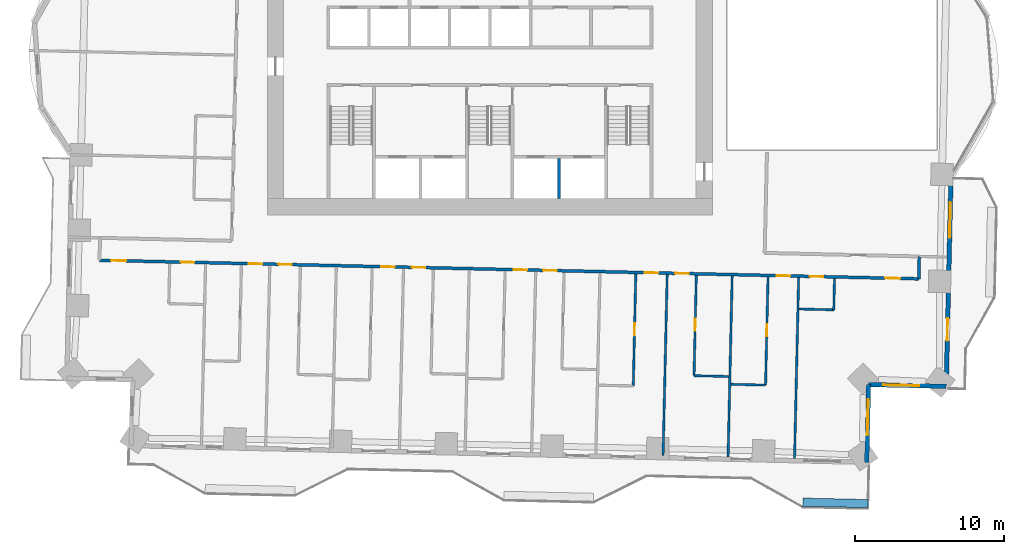
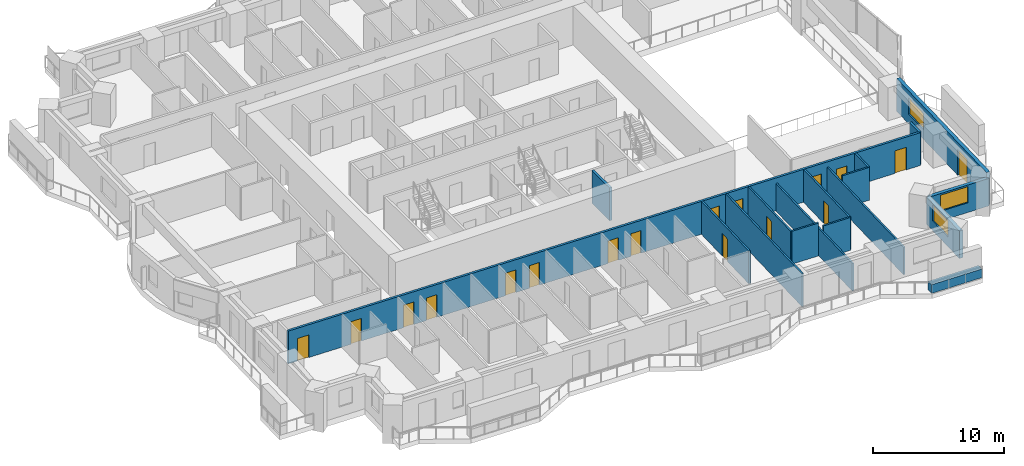
# One storey, part 9 of 19: 17 doors, 17 walls, 3 windows, 20 openings.
"""IFC4 building model written with IfcOpenShell, lengths in metres."""

from ifc_helpers import new_model, si_unit, direction, frame, frame_2d, origin, place, context, subcontext, project, spatial, rectangle, extrude, material, layer, layer_set, type_object, element, fill, save


model = new_model("IFC4")

# Units and contexts
model_context = context("Model", 3, precision=1e-05, world=origin(), true_north=direction((0.0, 1.0)))
body_context = subcontext(model_context, "Body", "Model", "MODEL_VIEW")
ifc_project = project(units=[si_unit("LENGTHUNIT", "METRE"), si_unit("AREAUNIT", "SQUARE_METRE"), si_unit("VOLUMEUNIT", "CUBIC_METRE"), si_unit("PLANEANGLEUNIT", "RADIAN"), si_unit("MASSUNIT", "GRAM", prefix="KILO")], contexts=[model_context])

# Site, building, storey
site_placement = place(None, origin())
site = spatial("IfcSite", under=ifc_project, at=site_placement, CompositionType="ELEMENT")
building_placement = place(site_placement, origin())
building = spatial("IfcBuilding", under=site, at=building_placement, Name="Mangrove Gate Tower", CompositionType="ELEMENT")
storey_placement = place(building_placement, frame((0.0, 0.0, 63.89990234375)))
storey = spatial("IfcBuildingStorey", under=building, at=storey_placement, Name="L15", CompositionType="ELEMENT", Elevation=63.89990234375)

# Wall
ifc_material_1 = material(Name="Concrete C70/85", Category="concrete")
ifc_layer_1 = layer(ifc_material_1, 0.199951171875)
ifc_layer_set_1 = layer_set([ifc_layer_1], Name="Core shaft wall 200 C70/85")
wall_type_1 = type_object("IfcWallType", Name="Core shaft wall 200 C70/85", PredefinedType="SHEAR", material=ifc_layer_set_1)
wall_1_placement = place(storey_placement, frame((4.625, -10.800048828125, 0.0), z_axis=(0.0, 0.0, 1.0), x_axis=(0.0, 1.0, 0.0)))
element("IfcWall", 1, at=wall_1_placement, inside=storey, type_object=wall_type_1, Name="WALL-L15-CORE-18", PredefinedType="SHEAR", context=body_context, shape_type="SweptSolid", body=[
    extrude(rectangle(XDim=2.699951171875, YDim=0.199951171875, at=frame_2d((1.35009765625, 0.0))), origin(), (0.0, 0.0, 1.0), 3.050048828125),
])

# Wall, openings, doors
ifc_material_2 = material(Name="Gypsum board on steel stud, EI 60", Category="steel")
ifc_layer_2 = layer(ifc_material_2, 0.199951171875)
ifc_layer_set_2 = layer_set([ifc_layer_2], Name="Corridor wall EI 60")
wall_type_2 = type_object("IfcWallType", Name="Corridor wall EI 60", PredefinedType="PARTITIONING", material=ifc_layer_set_2)
wall_2_placement = place(storey_placement, frame((-26.1259765625, -14.924072265625, 0.0), z_axis=(0.0, 0.0, 1.0), x_axis=(0.999742687583, -0.0226838847, 0.0)))
wall_2 = element("IfcWall", 2, at=wall_2_placement, inside=storey, type_object=wall_type_2, Name="WALL-L15-034", PredefinedType="PARTITIONING", context=body_context, shape_type="SweptSolid", body=[
    extrude(rectangle(XDim=54.836181640625, YDim=0.199951171875, at=frame_2d((27.41796875, 0.0))), origin(), (0.0, 0.0, 1.0), 3.050048828125),
])
opening_1_placement = place(wall_2_placement, frame((0.77490234375, 0.0, 0.0)))
opening_1 = element("IfcOpeningElement", 3, at=opening_1_placement, cuts=wall_2, Name="Opening AD", PredefinedType="OPENING", context=body_context, shape_type="SweptSolid", body=[
    extrude(rectangle(XDim=1.0, YDim=2.10009765625, at=frame_2d((0.5, 1.050048828125))), frame((0.0, 0.10986328125, 0.0), z_axis=(0.0, -1.0, 0.0), x_axis=(1.0, 0.0, 0.0)), (0.0, 0.0, 1.0), 0.219970703125),
])
opening_2_placement = place(wall_2_placement, frame((5.449951171875, 0.0, 0.0)))
opening_2 = element("IfcOpeningElement", 4, at=opening_2_placement, cuts=wall_2, Name="Opening SD", PredefinedType="OPENING", context=body_context, shape_type="SweptSolid", body=[
    extrude(rectangle(XDim=0.89990234375, YDim=2.10009765625, at=frame_2d((0.449951171875, 1.050048828125))), frame((0.0, 0.10986328125, 0.0), z_axis=(0.0, -1.0, 0.0), x_axis=(1.0, 0.0, 0.0)), (0.0, 0.0, 1.0), 0.219970703125),
])
opening_3_placement = place(wall_2_placement, frame((10.0, 0.0, 0.0)))
opening_3 = element("IfcOpeningElement", 5, at=opening_3_placement, cuts=wall_2, Name="Opening BD", PredefinedType="OPENING", context=body_context, shape_type="SweptSolid", body=[
    extrude(rectangle(XDim=0.89990234375, YDim=2.10009765625, at=frame_2d((0.449951171875, 1.050048828125))), frame((0.0, 0.10986328125, 0.0), z_axis=(0.0, -1.0, 0.0), x_axis=(1.0, 0.0, 0.0)), (0.0, 0.0, 1.0), 0.219970703125),
])
opening_4_placement = place(wall_2_placement, frame((11.97509765625, 0.0, 0.0)))
opening_4 = element("IfcOpeningElement", 6, at=opening_4_placement, cuts=wall_2, Name="Opening BD", PredefinedType="OPENING", context=body_context, shape_type="SweptSolid", body=[
    extrude(rectangle(XDim=0.89990234375, YDim=2.10009765625, at=frame_2d((0.449951171875, 1.050048828125))), frame((0.0, 0.10986328125, 0.0), z_axis=(0.0, -1.0, 0.0), x_axis=(1.0, 0.0, 0.0)), (0.0, 0.0, 1.0), 0.219970703125),
])
opening_5_placement = place(wall_2_placement, frame((18.85009765625, 0.0, 0.0)))
opening_5 = element("IfcOpeningElement", 7, at=opening_5_placement, cuts=wall_2, Name="Opening BD", PredefinedType="OPENING", context=body_context, shape_type="SweptSolid", body=[
    extrude(rectangle(XDim=0.89990234375, YDim=2.10009765625, at=frame_2d((0.449951171875, 1.050048828125))), frame((0.0, 0.10986328125, 0.0), z_axis=(0.0, -1.0, 0.0), x_axis=(1.0, 0.0, 0.0)), (0.0, 0.0, 1.0), 0.219970703125),
])
opening_6_placement = place(wall_2_placement, frame((20.89990234375, 0.0, 0.0)))
opening_6 = element("IfcOpeningElement", 8, at=opening_6_placement, cuts=wall_2, Name="Opening BD", PredefinedType="OPENING", context=body_context, shape_type="SweptSolid", body=[
    extrude(rectangle(XDim=0.89990234375, YDim=2.10009765625, at=frame_2d((0.449951171875, 1.050048828125))), frame((0.0, 0.10986328125, 0.0), z_axis=(0.0, -1.0, 0.0), x_axis=(1.0, 0.0, 0.0)), (0.0, 0.0, 1.0), 0.219970703125),
])
opening_7_placement = place(wall_2_placement, frame((27.72509765625, 0.0, 0.0)))
opening_7 = element("IfcOpeningElement", 9, at=opening_7_placement, cuts=wall_2, Name="Opening BD", PredefinedType="OPENING", context=body_context, shape_type="SweptSolid", body=[
    extrude(rectangle(XDim=0.89990234375, YDim=2.10009765625, at=frame_2d((0.449951171875, 1.050048828125))), frame((0.0, 0.10986328125, 0.0), z_axis=(0.0, -1.0, 0.0), x_axis=(1.0, 0.0, 0.0)), (0.0, 0.0, 1.0), 0.219970703125),
])
opening_8_placement = place(wall_2_placement, frame((29.699951171875, 0.0, 0.0)))
opening_8 = element("IfcOpeningElement", 10, at=opening_8_placement, cuts=wall_2, Name="Opening BD", PredefinedType="OPENING", context=body_context, shape_type="SweptSolid", body=[
    extrude(rectangle(XDim=0.89990234375, YDim=2.10009765625, at=frame_2d((0.449951171875, 1.050048828125))), frame((0.0, 0.10986328125, 0.0), z_axis=(0.0, -1.0, 0.0), x_axis=(1.0, 0.0, 0.0)), (0.0, 0.0, 1.0), 0.219970703125),
])
opening_9_placement = place(wall_2_placement, frame((36.5, 0.0, 0.0)))
opening_9 = element("IfcOpeningElement", 11, at=opening_9_placement, cuts=wall_2, Name="Opening BD", PredefinedType="OPENING", context=body_context, shape_type="SweptSolid", body=[
    extrude(rectangle(XDim=0.89990234375, YDim=2.10009765625, at=frame_2d((0.449951171875, 1.050048828125))), frame((0.0, 0.10986328125, 0.0), z_axis=(0.0, -1.0, 0.0), x_axis=(1.0, 0.0, 0.0)), (0.0, 0.0, 1.0), 0.219970703125),
])
opening_10_placement = place(wall_2_placement, frame((38.52490234375, 0.0, 0.0)))
opening_10 = element("IfcOpeningElement", 12, at=opening_10_placement, cuts=wall_2, Name="Opening BD", PredefinedType="OPENING", context=body_context, shape_type="SweptSolid", body=[
    extrude(rectangle(XDim=0.89990234375, YDim=2.10009765625, at=frame_2d((0.449951171875, 1.050048828125))), frame((0.0, 0.10986328125, 0.0), z_axis=(0.0, -1.0, 0.0), x_axis=(1.0, 0.0, 0.0)), (0.0, 0.0, 1.0), 0.219970703125),
])
opening_11_placement = place(wall_2_placement, frame((45.324951171875, 0.0, 0.0)))
opening_11 = element("IfcOpeningElement", 13, at=opening_11_placement, cuts=wall_2, Name="Opening BD", PredefinedType="OPENING", context=body_context, shape_type="SweptSolid", body=[
    extrude(rectangle(XDim=0.89990234375, YDim=2.10009765625, at=frame_2d((0.449951171875, 1.050048828125))), frame((0.0, 0.10986328125, 0.0), z_axis=(0.0, -1.0, 0.0), x_axis=(1.0, 0.0, 0.0)), (0.0, 0.0, 1.0), 0.219970703125),
])
opening_12_placement = place(wall_2_placement, frame((52.593017578125, 0.0, 0.0)))
opening_12 = element("IfcOpeningElement", 14, at=opening_12_placement, cuts=wall_2, Name="Opening AD", PredefinedType="OPENING", context=body_context, shape_type="SweptSolid", body=[
    extrude(rectangle(XDim=1.0, YDim=2.10009765625, at=frame_2d((0.5, 1.050048828125))), frame((0.0, 0.10986328125, 0.0), z_axis=(0.0, -1.0, 0.0), x_axis=(1.0, 0.0, 0.0)), (0.0, 0.0, 1.0), 0.219970703125),
])
opening_13_placement = place(wall_2_placement, frame((47.550048828125, 0.0, 0.0)))
opening_13 = element("IfcOpeningElement", 15, at=opening_13_placement, cuts=wall_2, Name="Opening SD", PredefinedType="OPENING", context=body_context, shape_type="SweptSolid", body=[
    extrude(rectangle(XDim=0.89990234375, YDim=2.10009765625, at=frame_2d((0.449951171875, 1.050048828125))), frame((0.0, 0.10986328125, 0.0), z_axis=(0.0, -1.0, 0.0), x_axis=(1.0, 0.0, 0.0)), (0.0, 0.0, 1.0), 0.219970703125),
])
ifc_material_3 = material(Name="Timber door leaf", Category="wood")
door_type_1 = type_object("IfcDoorType", Name="Amenity door 1000", OperationType="SINGLE_SWING_LEFT", PredefinedType="DOOR", material=ifc_material_3)
door_1_placement = place(opening_1_placement, origin())
door_1 = element("IfcDoor", 16, at=door_1_placement, inside=storey, type_object=door_type_1, Name="DOOR-L15-LNG-c1a", OperationType="SINGLE_SWING_LEFT", OverallHeight=2.10009765625, OverallWidth=1.0, PredefinedType="DOOR", context=body_context, shape_type="SweptSolid", body=[
    extrude(rectangle(XDim=1.0, YDim=2.10009765625, at=frame_2d((0.5, 1.050048828125))), frame((0.0, 0.02490234375, 0.0), z_axis=(0.0, -1.0, 0.0), x_axis=(1.0, 0.0, 0.0)), (0.0, 0.0, 1.0), 0.050048828125),
])
fill(opening_1, door_1)
door_2_placement = place(opening_12_placement, origin())
door_2 = element("IfcDoor", 17, at=door_2_placement, inside=storey, type_object=door_type_1, Name="DOOR-L15-LNG-c3a", OperationType="SINGLE_SWING_RIGHT", OverallHeight=2.10009765625, OverallWidth=1.0, PredefinedType="DOOR", context=body_context, shape_type="SweptSolid", body=[
    extrude(rectangle(XDim=1.0, YDim=2.10009765625, at=frame_2d((0.5, 1.050048828125))), frame((0.0, 0.02490234375, 0.0), z_axis=(0.0, -1.0, 0.0), x_axis=(1.0, 0.0, 0.0)), (0.0, 0.0, 1.0), 0.050048828125),
])
fill(opening_12, door_2)
ifc_material_4 = material(Name="Timber door leaf", Category="wood")
door_type_2 = type_object("IfcDoorType", Name="Bedroom door 900", OperationType="SINGLE_SWING_LEFT", PredefinedType="DOOR", material=ifc_material_4)
door_3_placement = place(opening_3_placement, origin())
door_3 = element("IfcDoor", 18, at=door_3_placement, inside=storey, type_object=door_type_2, Name="DOOR-L15-BED-c101", OperationType="SINGLE_SWING_LEFT", OverallHeight=2.10009765625, OverallWidth=0.89990234375, PredefinedType="DOOR", context=body_context, shape_type="SweptSolid", body=[
    extrude(rectangle(XDim=0.89990234375, YDim=2.10009765625, at=frame_2d((0.449951171875, 1.050048828125))), frame((0.0, 0.02490234375, 0.0), z_axis=(0.0, -1.0, 0.0), x_axis=(1.0, 0.0, 0.0)), (0.0, 0.0, 1.0), 0.050048828125),
])
fill(opening_3, door_3)
door_4_placement = place(opening_4_placement, origin())
door_4 = element("IfcDoor", 19, at=door_4_placement, inside=storey, type_object=door_type_2, Name="DOOR-L15-BED-c102", OperationType="SINGLE_SWING_RIGHT", OverallHeight=2.10009765625, OverallWidth=0.89990234375, PredefinedType="DOOR", context=body_context, shape_type="SweptSolid", body=[
    extrude(rectangle(XDim=0.89990234375, YDim=2.10009765625, at=frame_2d((0.449951171875, 1.050048828125))), frame((0.0, 0.02490234375, 0.0), z_axis=(0.0, -1.0, 0.0), x_axis=(1.0, 0.0, 0.0)), (0.0, 0.0, 1.0), 0.050048828125),
])
fill(opening_4, door_4)
door_5_placement = place(opening_5_placement, origin())
door_5 = element("IfcDoor", 20, at=door_5_placement, inside=storey, type_object=door_type_2, Name="DOOR-L15-BED-c103", OperationType="SINGLE_SWING_LEFT", OverallHeight=2.10009765625, OverallWidth=0.89990234375, PredefinedType="DOOR", context=body_context, shape_type="SweptSolid", body=[
    extrude(rectangle(XDim=0.89990234375, YDim=2.10009765625, at=frame_2d((0.449951171875, 1.050048828125))), frame((0.0, 0.02490234375, 0.0), z_axis=(0.0, -1.0, 0.0), x_axis=(1.0, 0.0, 0.0)), (0.0, 0.0, 1.0), 0.050048828125),
])
fill(opening_5, door_5)
door_6_placement = place(opening_6_placement, origin())
door_6 = element("IfcDoor", 21, at=door_6_placement, inside=storey, type_object=door_type_2, Name="DOOR-L15-BED-c104", OperationType="SINGLE_SWING_RIGHT", OverallHeight=2.10009765625, OverallWidth=0.89990234375, PredefinedType="DOOR", context=body_context, shape_type="SweptSolid", body=[
    extrude(rectangle(XDim=0.89990234375, YDim=2.10009765625, at=frame_2d((0.449951171875, 1.050048828125))), frame((0.0, 0.02490234375, 0.0), z_axis=(0.0, -1.0, 0.0), x_axis=(1.0, 0.0, 0.0)), (0.0, 0.0, 1.0), 0.050048828125),
])
fill(opening_6, door_6)
door_7_placement = place(opening_7_placement, origin())
door_7 = element("IfcDoor", 22, at=door_7_placement, inside=storey, type_object=door_type_2, Name="DOOR-L15-BED-c205", OperationType="SINGLE_SWING_LEFT", OverallHeight=2.10009765625, OverallWidth=0.89990234375, PredefinedType="DOOR", context=body_context, shape_type="SweptSolid", body=[
    extrude(rectangle(XDim=0.89990234375, YDim=2.10009765625, at=frame_2d((0.449951171875, 1.050048828125))), frame((0.0, 0.02490234375, 0.0), z_axis=(0.0, -1.0, 0.0), x_axis=(1.0, 0.0, 0.0)), (0.0, 0.0, 1.0), 0.050048828125),
])
fill(opening_7, door_7)
door_8_placement = place(opening_8_placement, origin())
door_8 = element("IfcDoor", 23, at=door_8_placement, inside=storey, type_object=door_type_2, Name="DOOR-L15-BED-c206", OperationType="SINGLE_SWING_RIGHT", OverallHeight=2.10009765625, OverallWidth=0.89990234375, PredefinedType="DOOR", context=body_context, shape_type="SweptSolid", body=[
    extrude(rectangle(XDim=0.89990234375, YDim=2.10009765625, at=frame_2d((0.449951171875, 1.050048828125))), frame((0.0, 0.02490234375, 0.0), z_axis=(0.0, -1.0, 0.0), x_axis=(1.0, 0.0, 0.0)), (0.0, 0.0, 1.0), 0.050048828125),
])
fill(opening_8, door_8)
door_9_placement = place(opening_9_placement, origin())
door_9 = element("IfcDoor", 24, at=door_9_placement, inside=storey, type_object=door_type_2, Name="DOOR-L15-BED-c207", OperationType="SINGLE_SWING_LEFT", OverallHeight=2.10009765625, OverallWidth=0.89990234375, PredefinedType="DOOR", context=body_context, shape_type="SweptSolid", body=[
    extrude(rectangle(XDim=0.89990234375, YDim=2.10009765625, at=frame_2d((0.449951171875, 1.050048828125))), frame((0.0, 0.02490234375, 0.0), z_axis=(0.0, -1.0, 0.0), x_axis=(1.0, 0.0, 0.0)), (0.0, 0.0, 1.0), 0.050048828125),
])
fill(opening_9, door_9)
door_10_placement = place(opening_10_placement, origin())
door_10 = element("IfcDoor", 25, at=door_10_placement, inside=storey, type_object=door_type_2, Name="DOOR-L15-BED-c308", OperationType="SINGLE_SWING_RIGHT", OverallHeight=2.10009765625, OverallWidth=0.89990234375, PredefinedType="DOOR", context=body_context, shape_type="SweptSolid", body=[
    extrude(rectangle(XDim=0.89990234375, YDim=2.10009765625, at=frame_2d((0.449951171875, 1.050048828125))), frame((0.0, 0.02490234375, 0.0), z_axis=(0.0, -1.0, 0.0), x_axis=(1.0, 0.0, 0.0)), (0.0, 0.0, 1.0), 0.050048828125),
])
fill(opening_10, door_10)
door_11_placement = place(opening_11_placement, origin())
door_11 = element("IfcDoor", 26, at=door_11_placement, inside=storey, type_object=door_type_2, Name="DOOR-L15-BED-c309", OperationType="SINGLE_SWING_LEFT", OverallHeight=2.10009765625, OverallWidth=0.89990234375, PredefinedType="DOOR", context=body_context, shape_type="SweptSolid", body=[
    extrude(rectangle(XDim=0.89990234375, YDim=2.10009765625, at=frame_2d((0.449951171875, 1.050048828125))), frame((0.0, 0.02490234375, 0.0), z_axis=(0.0, -1.0, 0.0), x_axis=(1.0, 0.0, 0.0)), (0.0, 0.0, 1.0), 0.050048828125),
])
fill(opening_11, door_11)
ifc_material_5 = material(Name="Timber door leaf", Category="wood")
door_type_3 = type_object("IfcDoorType", Name="Service room door 900", OperationType="SINGLE_SWING_LEFT", PredefinedType="DOOR", material=ifc_material_5)
door_12_placement = place(opening_2_placement, origin())
door_12 = element("IfcDoor", 27, at=door_12_placement, inside=storey, type_object=door_type_3, Name="DOOR-L15-WC-c1a", OperationType="SINGLE_SWING_LEFT", OverallHeight=2.10009765625, OverallWidth=0.89990234375, PredefinedType="DOOR", context=body_context, shape_type="SweptSolid", body=[
    extrude(rectangle(XDim=0.89990234375, YDim=2.10009765625, at=frame_2d((0.449951171875, 1.050048828125))), frame((0.0, 0.02490234375, 0.0), z_axis=(0.0, -1.0, 0.0), x_axis=(1.0, 0.0, 0.0)), (0.0, 0.0, 1.0), 0.050048828125),
])
fill(opening_2, door_12)
door_13_placement = place(opening_13_placement, origin())
door_13 = element("IfcDoor", 28, at=door_13_placement, inside=storey, type_object=door_type_3, Name="DOOR-L15-LIN-c3a", OperationType="SINGLE_SWING_RIGHT", OverallHeight=2.10009765625, OverallWidth=0.89990234375, PredefinedType="DOOR", context=body_context, shape_type="SweptSolid", body=[
    extrude(rectangle(XDim=0.89990234375, YDim=2.10009765625, at=frame_2d((0.449951171875, 1.050048828125))), frame((0.0, 0.02490234375, 0.0), z_axis=(0.0, -1.0, 0.0), x_axis=(1.0, 0.0, 0.0)), (0.0, 0.0, 1.0), 0.050048828125),
])
fill(opening_13, door_13)

# Wall
wall_3_placement = place(storey_placement, frame((28.697998046875, -16.1689453125, 0.0), z_axis=(0.0, 0.0, 1.0), x_axis=(0.022617910375, 0.999744182344, 0.0)))
element("IfcWall", 29, at=wall_3_placement, inside=storey, type_object=wall_type_2, Name="WALL-L15-035", PredefinedType="PARTITIONING", context=body_context, shape_type="SweptSolid", body=[
    extrude(rectangle(XDim=1.50048828125, YDim=0.199951171875, at=frame_2d((0.750244140625, 0.0))), origin(), (0.0, 0.0, 1.0), 3.050048828125),
])

# Wall, openings, door, window
ifc_material_6 = material(Name="Limestone", Category="masonry")
ifc_layer_3 = layer(ifc_material_6, 0.0400390625, Name="Limestone cladding")
ifc_material_7 = material(Name="Ventilated air gap")
ifc_layer_4 = layer(ifc_material_7, 0.0400390625, Name="Ventilated cavity")
ifc_material_8 = material(Name="Mineral wool insulation")
ifc_layer_5 = layer(ifc_material_8, 0.06005859375, Name="Insulation")
ifc_material_9 = material(Name="Breather membrane")
ifc_layer_6 = layer(ifc_material_9, 0.001953125, Name="Breather membrane")
ifc_material_10 = material(Name="Concrete C20/25 blockwork", Category="masonry")
ifc_layer_7 = layer(ifc_material_10, 0.14990234375, Name="Blockwork backing wall")
ifc_material_11 = material(Name="Gypsum plaster")
ifc_layer_8 = layer(ifc_material_11, 0.008056640625, Name="Internal plaster")
ifc_layer_set_3 = layer_set([ifc_layer_3, ifc_layer_4, ifc_layer_5, ifc_layer_6, ifc_layer_7, ifc_layer_8], Name="External wall 300 limestone cladding")
wall_type_3 = type_object("IfcWallType", Name="External wall 300 limestone cladding", PredefinedType="SOLIDWALL", material=ifc_layer_set_3)
wall_4_placement = place(storey_placement, frame((30.532958984375, -23.362060546875, 0.0), z_axis=(0.0, 0.0, 1.0), x_axis=(0.022698800888, 0.999742349027, 0.0)))
wall_4 = element("IfcWall", 30, at=wall_4_placement, inside=storey, type_object=wall_type_3, Name="WALL-L15-E0", PredefinedType="SOLIDWALL", context=body_context, shape_type="SweptSolid", body=[
    extrude(rectangle(XDim=14.229736328125, YDim=0.300048828125, at=frame_2d((7.11474609375, 0.0))), origin(), (0.0, 0.0, 1.0), 3.050048828125),
])
opening_14_placement = place(wall_4_placement, frame((3.050048828125, 0.0, 0.0)))
opening_14 = element("IfcOpeningElement", 31, at=opening_14_placement, cuts=wall_4, Name="Opening BD1", PredefinedType="OPENING", context=body_context, shape_type="SweptSolid", body=[
    extrude(rectangle(XDim=1.5, YDim=2.39990234375, at=frame_2d((0.75, 1.199951171875))), frame((0.0, 0.159912109375, 0.0), z_axis=(0.0, -1.0, 0.0), x_axis=(1.0, 0.0, 0.0)), (0.0, 0.0, 1.0), 0.320068359375),
])
opening_15_placement = place(wall_4_placement, frame((9.93701171875, 0.0, 0.89990234375)))
opening_15 = element("IfcOpeningElement", 32, at=opening_15_placement, cuts=wall_4, Name="Opening W2", PredefinedType="OPENING", context=body_context, shape_type="SweptSolid", body=[
    extrude(rectangle(XDim=2.39990234375, YDim=1.5, at=frame_2d((1.199951171875, 0.75))), frame((0.0, 0.159912109375, 0.0), z_axis=(0.0, -1.0, 0.0), x_axis=(1.0, 0.0, 0.0)), (0.0, 0.0, 1.0), 0.320068359375),
])
ifc_material_12 = material(Name="Aluminium frame with laminated clear glass", Category="aluminium")
door_type_4 = type_object("IfcDoorType", Name="Balcony sliding door 1500x2400", OperationType="SLIDING_TO_LEFT", PredefinedType="DOOR", material=ifc_material_12)
door_14_placement = place(opening_14_placement, origin())
door_14 = element("IfcDoor", 33, at=door_14_placement, inside=storey, type_object=door_type_4, Name="DOOR-L15-E0-1", OperationType="SLIDING_TO_LEFT", OverallHeight=2.39990234375, OverallWidth=1.5, PredefinedType="DOOR", context=body_context, shape_type="SweptSolid", body=[
    extrude(rectangle(XDim=1.5, YDim=2.39990234375, at=frame_2d((0.75, 1.199951171875))), frame((0.0, 0.02490234375, 0.0), z_axis=(0.0, -1.0, 0.0), x_axis=(1.0, 0.0, 0.0)), (0.0, 0.0, 1.0), 0.050048828125),
])
fill(opening_14, door_14)
ifc_material_13 = material(Name="Aluminium frame with double-glazed low-e glass", Category="aluminium")
window_type = type_object("IfcWindowType", Name="Corner room window 2400x1500", PartitioningType="DOUBLE_PANEL_VERTICAL", PredefinedType="WINDOW", material=ifc_material_13)
window_1_placement = place(opening_15_placement, origin())
window_1 = element("IfcWindow", 34, at=window_1_placement, inside=storey, type_object=window_type, Name="WIN-L15-E0-2", OverallHeight=1.5, OverallWidth=2.39990234375, PartitioningType="DOUBLE_PANEL_VERTICAL", PredefinedType="WINDOW", context=body_context, shape_type="SweptSolid", body=[
    extrude(rectangle(XDim=2.39990234375, YDim=1.5, at=frame_2d((1.199951171875, 0.75))), frame((0.0, 0.030029296875, 0.0), z_axis=(0.0, -1.0, 0.0), x_axis=(1.0, 0.0, 0.0)), (0.0, 0.0, 1.0), 0.06005859375),
])
fill(opening_15, window_1)

# Wall, opening, window
wall_5_placement = place(storey_placement, frame((25.216064453125, -28.443115234375, 0.0), z_axis=(0.0, 0.0, 1.0), x_axis=(0.022674484462, 0.999742900827, 0.0)))
wall_5 = element("IfcWall", 35, at=wall_5_placement, inside=storey, type_object=wall_type_3, Name="WALL-L15-E14", PredefinedType="SOLIDWALL", context=body_context, shape_type="SweptSolid", body=[
    extrude(rectangle(XDim=5.200439453125, YDim=0.300048828125, at=frame_2d((2.60009765625, 0.0))), origin(), (0.0, 0.0, 1.0), 2.550048828125),
])
opening_16_placement = place(wall_5_placement, frame((1.81103515625, 0.0, 0.89990234375)))
opening_16 = element("IfcOpeningElement", 36, at=opening_16_placement, cuts=wall_5, Name="Opening W2", PredefinedType="OPENING", context=body_context, shape_type="SweptSolid", body=[
    extrude(rectangle(XDim=2.39990234375, YDim=1.5, at=frame_2d((1.199951171875, 0.75))), frame((0.0, 0.159912109375, 0.0), z_axis=(0.0, -1.0, 0.0), x_axis=(1.0, 0.0, 0.0)), (0.0, 0.0, 1.0), 0.320068359375),
])
window_2_placement = place(opening_16_placement, origin())
window_2 = element("IfcWindow", 37, at=window_2_placement, inside=storey, type_object=window_type, Name="WIN-L15-E14-1", OverallHeight=1.5, OverallWidth=2.39990234375, PartitioningType="DOUBLE_PANEL_VERTICAL", PredefinedType="WINDOW", context=body_context, shape_type="SweptSolid", body=[
    extrude(rectangle(XDim=2.39990234375, YDim=1.5, at=frame_2d((1.199951171875, 0.75))), frame((0.0, 0.030029296875, 0.0), z_axis=(0.0, -1.0, 0.0), x_axis=(1.0, 0.0, 0.0)), (0.0, 0.0, 1.0), 0.06005859375),
])
fill(opening_16, window_2)

wall_6_placement = place(storey_placement, frame((25.333984375, -23.243896484375, 0.0), z_axis=(0.0, 0.0, 1.0), x_axis=(0.999741811307, -0.022722471786, 0.0)))
wall_6 = element("IfcWall", 38, at=wall_6_placement, inside=storey, type_object=wall_type_3, Name="WALL-L15-S15", PredefinedType="SOLIDWALL", context=body_context, shape_type="SweptSolid", body=[
    extrude(rectangle(XDim=5.2001953125, YDim=0.300048828125, at=frame_2d((2.60009765625, 0.0))), origin(), (0.0, 0.0, 1.0), 2.550048828125),
])
opening_17_placement = place(wall_6_placement, frame((0.988037109375, 0.0, 0.89990234375)))
opening_17 = element("IfcOpeningElement", 39, at=opening_17_placement, cuts=wall_6, Name="Opening W2", PredefinedType="OPENING", context=body_context, shape_type="SweptSolid", body=[
    extrude(rectangle(XDim=2.39990234375, YDim=1.5, at=frame_2d((1.199951171875, 0.75))), frame((0.0, 0.159912109375, 0.0), z_axis=(0.0, -1.0, 0.0), x_axis=(1.0, 0.0, 0.0)), (0.0, 0.0, 1.0), 0.320068359375),
])
window_3_placement = place(opening_17_placement, origin())
window_3 = element("IfcWindow", 40, at=window_3_placement, inside=storey, type_object=window_type, Name="WIN-L15-S15-1", OverallHeight=1.5, OverallWidth=2.39990234375, PartitioningType="DOUBLE_PANEL_VERTICAL", PredefinedType="WINDOW", context=body_context, shape_type="SweptSolid", body=[
    extrude(rectangle(XDim=2.39990234375, YDim=1.5, at=frame_2d((1.199951171875, 0.75))), frame((0.0, 0.030029296875, 0.0), z_axis=(0.0, -1.0, 0.0), x_axis=(1.0, 0.0, 0.0)), (0.0, 0.0, 1.0), 0.06005859375),
])
fill(opening_17, window_3)

# Walls
ifc_material_14 = material(Name="Gypsum board on steel stud, EI 60", Category="steel")
ifc_layer_9 = layer(ifc_material_14, 0.14990234375)
ifc_layer_set_4 = layer_set([ifc_layer_9], Name="Party wall 150 EI 60")
wall_type_4 = type_object("IfcWallType", Name="Party wall 150 EI 60", PredefinedType="PARTITIONING", material=ifc_layer_set_4)
wall_7_placement = place(storey_placement, frame((11.5849609375, -27.98388671875, 0.0), z_axis=(0.0, 0.0, 1.0), x_axis=(0.022737445516, 0.999741470867, 0.0)))
element("IfcWall", 41, at=wall_7_placement, inside=storey, type_object=wall_type_4, Name="WALL-L15-008", PredefinedType="PARTITIONING", context=body_context, shape_type="SweptSolid", body=[
    extrude(rectangle(XDim=12.10107421875, YDim=0.14990234375, at=frame_2d((6.050537109375, 0.0))), origin(), (0.0, 0.0, 1.0), 3.050048828125),
])
wall_8_placement = place(storey_placement, frame((15.93408203125, -28.08203125, 0.0), z_axis=(0.0, 0.0, 1.0), x_axis=(0.022719113715, 0.999741887625, 0.0)))
element("IfcWall", 42, at=wall_8_placement, inside=storey, type_object=wall_type_4, Name="WALL-L15-009", PredefinedType="PARTITIONING", context=body_context, shape_type="SweptSolid", body=[
    extrude(rectangle(XDim=12.10009765625, YDim=0.14990234375, at=frame_2d((6.050048828125, 0.0))), origin(), (0.0, 0.0, 1.0), 2.550048828125),
])
wall_9_placement = place(storey_placement, frame((20.383056640625, -28.18310546875, 0.0), z_axis=(0.0, 0.0, 1.0), x_axis=(0.022637991173, 0.99974372784, 0.0)))
element("IfcWall", 43, at=wall_9_placement, inside=storey, type_object=wall_type_4, Name="WALL-L15-010", PredefinedType="PARTITIONING", context=body_context, shape_type="SweptSolid", body=[
    extrude(rectangle(XDim=12.100341796875, YDim=0.14990234375, at=frame_2d((6.05029296875, 0.0))), origin(), (0.0, 0.0, 1.0), 2.550048828125),
])

# Wall, opening, door
wall_10_placement = place(storey_placement, frame((9.590087890625, -23.3369140625, 0.0), z_axis=(0.0, 0.0, 1.0), x_axis=(0.022657071855, 0.999743295599, 0.0)))
wall_10 = element("IfcWall", 44, at=wall_10_placement, inside=storey, type_object=wall_type_4, Name="WALL-L15-014", PredefinedType="PARTITIONING", context=body_context, shape_type="SweptSolid", body=[
    extrude(rectangle(XDim=7.499755859375, YDim=0.14990234375, at=frame_2d((3.75, 0.0))), origin(), (0.0, 0.0, 1.0), 3.050048828125),
])
opening_18_placement = place(wall_10_placement, frame((3.39990234375, 0.0, 0.0)))
opening_18 = element("IfcOpeningElement", 45, at=opening_18_placement, cuts=wall_10, Name="Opening ED", PredefinedType="OPENING", context=body_context, shape_type="SweptSolid", body=[
    extrude(rectangle(XDim=0.800048828125, YDim=2.10009765625, at=frame_2d((0.39990234375, 1.050048828125))), frame((0.0, 0.0849609375, 0.0), z_axis=(0.0, -1.0, 0.0), x_axis=(1.0, 0.0, 0.0)), (0.0, 0.0, 1.0), 0.169921875),
])
ifc_material_15 = material(Name="Timber door leaf", Category="wood")
door_type_5 = type_object("IfcDoorType", Name="En-suite door 800", OperationType="SINGLE_SWING_LEFT", PredefinedType="DOOR", material=ifc_material_15)
door_15_placement = place(opening_18_placement, origin())
door_15 = element("IfcDoor", 46, at=door_15_placement, inside=storey, type_object=door_type_5, Name="DOOR-L15-ENS-c207", OperationType="SINGLE_SWING_LEFT", OverallHeight=2.10009765625, OverallWidth=0.800048828125, PredefinedType="DOOR", context=body_context, shape_type="SweptSolid", body=[
    extrude(rectangle(XDim=0.800048828125, YDim=2.10009765625, at=frame_2d((0.39990234375, 1.050048828125))), frame((0.0, 0.02490234375, 0.0), z_axis=(0.0, -1.0, 0.0), x_axis=(1.0, 0.0, 0.0)), (0.0, 0.0, 1.0), 0.050048828125),
])
fill(opening_18, door_15)

# Wall
wall_11_placement = place(storey_placement, frame((16.12109375, -23.22509765625, 0.0), z_axis=(0.0, 0.0, 1.0), x_axis=(0.999740478815, -0.022781023197, 0.0)))
element("IfcWall", 47, at=wall_11_placement, inside=storey, type_object=wall_type_4, Name="WALL-L15-019", PredefinedType="PARTITIONING", context=body_context, shape_type="SweptSolid", body=[
    extrude(rectangle(XDim=2.325439453125, YDim=0.14990234375, at=frame_2d((1.16259765625, 0.0))), origin(), (0.0, 0.0, 1.0), 3.050048828125),
])

# Wall, opening, door
wall_12_placement = place(storey_placement, frame((18.444091796875, -23.278076171875, 0.0), z_axis=(0.0, 0.0, 1.0), x_axis=(0.022627186748, 0.999743972435, 0.0)))
wall_12 = element("IfcWall", 48, at=wall_12_placement, inside=storey, type_object=wall_type_4, Name="WALL-L15-020", PredefinedType="PARTITIONING", context=body_context, shape_type="SweptSolid", body=[
    extrude(rectangle(XDim=7.239990234375, YDim=0.14990234375, at=frame_2d((3.6201171875, 0.0))), origin(), (0.0, 0.0, 1.0), 3.050048828125),
])
opening_19_placement = place(wall_12_placement, frame((3.27001953125, 0.0, 0.0)))
opening_19 = element("IfcOpeningElement", 49, at=opening_19_placement, cuts=wall_12, Name="Opening ED", PredefinedType="OPENING", context=body_context, shape_type="SweptSolid", body=[
    extrude(rectangle(XDim=0.800048828125, YDim=2.10009765625, at=frame_2d((0.39990234375, 1.050048828125))), frame((0.0, 0.0849609375, 0.0), z_axis=(0.0, -1.0, 0.0), x_axis=(1.0, 0.0, 0.0)), (0.0, 0.0, 1.0), 0.169921875),
])
door_16_placement = place(opening_19_placement, origin())
door_16 = element("IfcDoor", 50, at=door_16_placement, inside=storey, type_object=door_type_5, Name="DOOR-L15-ENS-c309", OperationType="SINGLE_SWING_LEFT", OverallHeight=2.10009765625, OverallWidth=0.800048828125, PredefinedType="DOOR", context=body_context, shape_type="SweptSolid", body=[
    extrude(rectangle(XDim=0.800048828125, YDim=2.10009765625, at=frame_2d((0.39990234375, 1.050048828125))), frame((0.0, 0.02490234375, 0.0), z_axis=(0.0, -1.0, 0.0), x_axis=(1.0, 0.0, 0.0)), (0.0, 0.0, 1.0), 0.050048828125),
])
fill(opening_19, door_16)

wall_13_placement = place(storey_placement, frame((13.656982421875, -22.64892578125, 0.0), z_axis=(0.0, 0.0, 1.0), x_axis=(0.022634748998, 0.99974380125, 0.0)))
wall_13 = element("IfcWall", 51, at=wall_13_placement, inside=storey, type_object=wall_type_4, Name="WALL-L15-023", PredefinedType="PARTITIONING", context=body_context, shape_type="SweptSolid", body=[
    extrude(rectangle(XDim=6.7197265625, YDim=0.14990234375, at=frame_2d((3.35986328125, 0.0))), origin(), (0.0, 0.0, 1.0), 3.050048828125),
])
opening_20_placement = place(wall_13_placement, frame((3.010009765625, 0.0, 0.0)))
opening_20 = element("IfcOpeningElement", 52, at=opening_20_placement, cuts=wall_13, Name="Opening ED", PredefinedType="OPENING", context=body_context, shape_type="SweptSolid", body=[
    extrude(rectangle(XDim=0.800048828125, YDim=2.10009765625, at=frame_2d((0.39990234375, 1.050048828125))), frame((0.0, 0.0849609375, 0.0), z_axis=(0.0, -1.0, 0.0), x_axis=(1.0, 0.0, 0.0)), (0.0, 0.0, 1.0), 0.169921875),
])
door_17_placement = place(opening_20_placement, origin())
door_17 = element("IfcDoor", 53, at=door_17_placement, inside=storey, type_object=door_type_5, Name="DOOR-L15-ENS-c308", OperationType="SINGLE_SWING_RIGHT", OverallHeight=2.10009765625, OverallWidth=0.800048828125, PredefinedType="DOOR", context=body_context, shape_type="SweptSolid", body=[
    extrude(rectangle(XDim=0.800048828125, YDim=2.10009765625, at=frame_2d((0.39990234375, 1.050048828125))), frame((0.0, 0.02490234375, 0.0), z_axis=(0.0, -1.0, 0.0), x_axis=(1.0, 0.0, 0.0)), (0.0, 0.0, 1.0), 0.050048828125),
])
fill(opening_20, door_17)

# Walls
for number, where, z_axis, x_axis, name in (
    (54, (13.658935546875, -22.64892578125, 0.0), (0.0, 0.0, 1.0), (0.999740260747, -0.02279059109, 0.0), "WALL-L15-024"),
    (55, (20.68701171875, -18.18701171875, 0.0), (0.0, 0.0, 1.0), (0.999740260747, -0.02279059109, 0.0), "WALL-L15-031"),
):
    element("IfcWall", number, at=place(storey_placement, frame(where, z_axis=z_axis, x_axis=x_axis)), inside=storey, type_object=wall_type_4, Name=name, PredefinedType="PARTITIONING", context=body_context, shape_type="SweptSolid", body=[
        extrude(rectangle(XDim=2.324462890625, YDim=0.14990234375, at=frame_2d((1.162109375, 0.0))), origin(), (0.0, 0.0, 1.0), 3.050048828125),
    ])
wall_14_placement = place(storey_placement, frame((23.009033203125, -18.239990234375, 0.0), z_axis=(0.0, 0.0, 1.0), x_axis=(0.022792727877, 0.999740212033, 0.0)))
element("IfcWall", 56, at=wall_14_placement, inside=storey, type_object=wall_type_4, Name="WALL-L15-032", PredefinedType="PARTITIONING", context=body_context, shape_type="SweptSolid", body=[
    extrude(rectangle(XDim=2.099365234375, YDim=0.14990234375, at=frame_2d((1.0498046875, 0.0))), origin(), (0.0, 0.0, 1.0), 3.050048828125),
])
ifc_material_16 = material(Name="Concrete C32/40", Category="concrete")
ifc_layer_10 = layer(ifc_material_16, 0.199951171875, Name="Planter trough wall")
ifc_material_17 = material(Name="Bituminous waterproofing membrane")
ifc_layer_11 = layer(ifc_material_17, 0.0048828125, Name="Waterproofing")
ifc_material_18 = material(Name="Drainage board and gravel")
ifc_layer_12 = layer(ifc_material_18, 0.044921875, Name="Drainage layer")
ifc_material_19 = material(Name="Planting soil")
ifc_layer_13 = layer(ifc_material_19, 0.300048828125, Name="Growing medium")
ifc_layer_set_5 = layer_set([ifc_layer_10, ifc_layer_11, ifc_layer_12, ifc_layer_13], Name="Planter wall 550 C32/40")
wall_type_5 = type_object("IfcWallType", Name="Planter wall 550 C32/40", PredefinedType="USERDEFINED", material=ifc_layer_set_5)
wall_15_placement = place(storey_placement, frame((20.93603515625, -31.111083984375, 0.0), z_axis=(0.0, 0.0, 1.0), x_axis=(0.999743765213, -0.022636340633, 0.0)))
element("IfcWall", 57, at=wall_15_placement, inside=storey, type_object=wall_type_5, Name="PLANTER L15 S1.2", ObjectType="PLANTER", PredefinedType="USERDEFINED", context=body_context, shape_type="SweptSolid", body=[
    extrude(rectangle(XDim=4.3681640625, YDim=0.550048828125, at=frame_2d((2.18408203125, 0.0))), origin(), (0.0, 0.0, 1.0), 0.800048828125),
])

save(model, "model.ifc")
